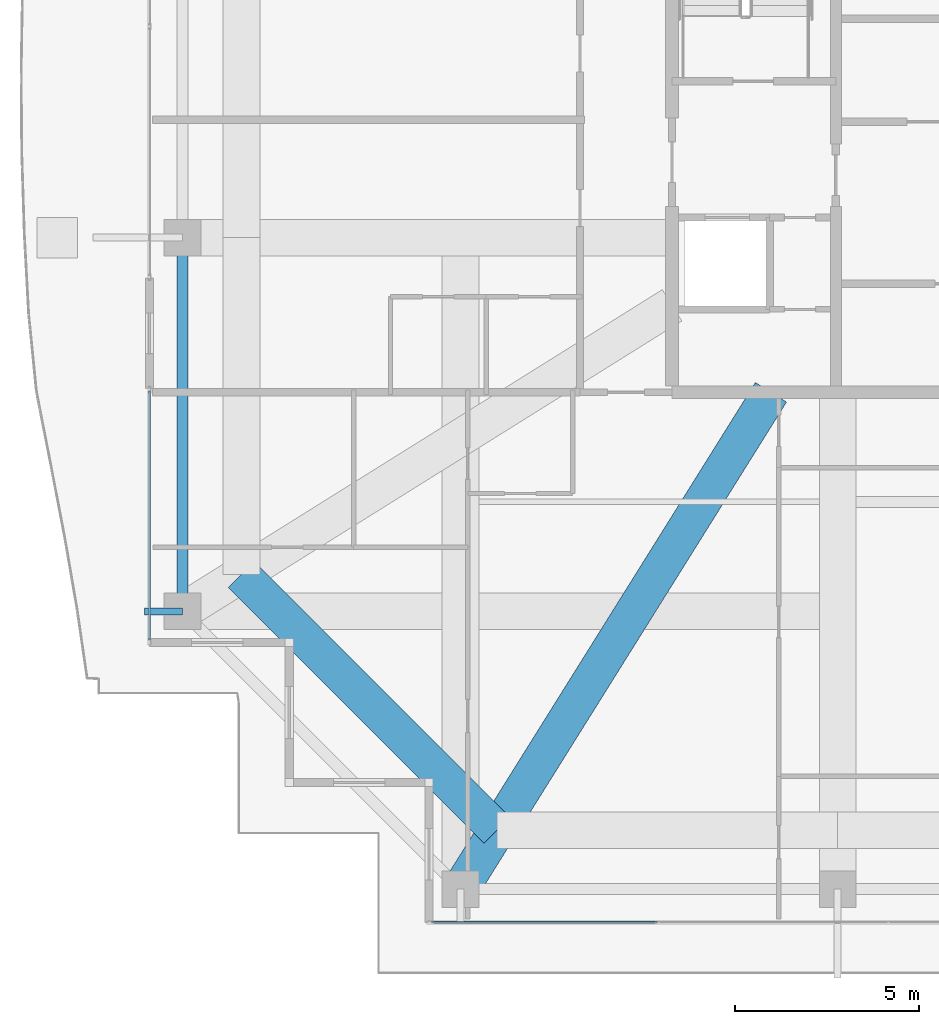
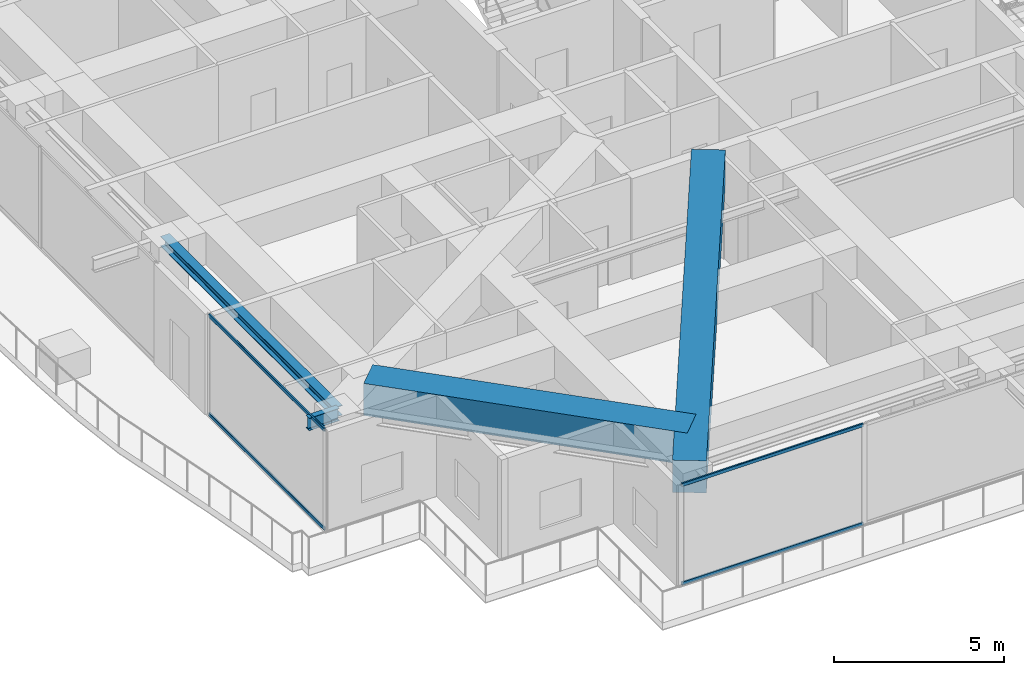
# One storey, part 3 of 40: 4 beams, 4 members, 2 elements without a shape of their own.
"""IFC4 building model written with IfcOpenShell, lengths in metres."""

from ifc_helpers import new_model, si_unit, direction, frame, origin, origin_2d, place, context, subcontext, project, spatial, rectangle, hollow_rectangle, i_section, extrude, source, transform, mapped, material, layer, layer_set, material_profile, profile_set, type_object, element, aggregate, save


model = new_model("IFC4")

# Units and contexts
model_context = context("Model", 3, precision=1e-05, world=origin(), true_north=direction((0.0, 1.0)))
body_context = subcontext(model_context, "Body", "Model", "MODEL_VIEW")
ifc_project = project(units=[si_unit("LENGTHUNIT", "METRE"), si_unit("AREAUNIT", "SQUARE_METRE"), si_unit("VOLUMEUNIT", "CUBIC_METRE"), si_unit("PLANEANGLEUNIT", "RADIAN"), si_unit("MASSUNIT", "GRAM", prefix="KILO")], contexts=[model_context])

# Site, building, storey
site_placement = place(None, origin())
site = spatial("IfcSite", under=ifc_project, at=site_placement, CompositionType="ELEMENT")
building_placement = place(site_placement, origin())
building = spatial("IfcBuilding", under=site, at=building_placement, Name="Serunith Strait Residences", CompositionType="ELEMENT")
storey_placement = place(building_placement, frame((0.0, 0.0, 333.949951171875)))
storey = spatial("IfcBuildingStorey", under=building, at=storey_placement, Name="L83", CompositionType="ELEMENT", Elevation=333.949951171875)

# Beams
ifc_material_1 = material(Name="Steel S355J2", Category="steel")
ifc_material_profile_1 = material_profile(ifc_material_1, i_section(OverallWidth=0.300048828125, OverallDepth=0.360107421875, WebThickness=0.012451171875, FlangeThickness=0.0224609375, FilletRadius=0.027099609375, at=origin_2d()), Name="HEB 360")
ifc_profile_set_1 = profile_set([ifc_material_profile_1], Name="Steel S355J2")
beam_type_1 = type_object("IfcBeamType", Name="BM-HEB360", PredefinedType="BEAM", material=ifc_profile_set_1)
shared_shape_1 = source(origin(), body_context, "Body", "SweptSolid", [
    extrude(i_section(OverallWidth=0.300048828125, OverallDepth=0.360107421875, WebThickness=0.012451171875, FlangeThickness=0.0224609375, FilletRadius=0.027099609375, at=origin_2d()), origin(), (0.0, 0.0, 1.0), 10.14990234375),
])
beam_1_placement = place(storey_placement, frame((10.10009765625, 21.0, 3.427001953125), z_axis=(0.0, -1.0, 0.0), x_axis=(1.0, 0.0, 0.0)))
element("IfcBeam", 1, at=beam_1_placement, inside=storey, type_object=beam_type_1, Name="L83 Perimeter Ring Beam 15", PredefinedType="BEAM", context=body_context, shape_type="MappedRepresentation", body=[
    mapped(shared_shape_1, transform((0.0, 0.0, 0.0), scale=1.0)),
])
ifc_material_2 = material(Name="Concrete C80/95", Category="concrete")
ifc_material_profile_2 = material_profile(ifc_material_2, rectangle(XDim=1.0, YDim=1.14990234375, at=origin_2d()), Name="RC 1000x1150")
ifc_profile_set_2 = profile_set([ifc_material_profile_2], Name="Concrete C80/95")
beam_type_2 = type_object("IfcBeamType", Name="BM-XFER-1000x1150", PredefinedType="BEAM", material=ifc_profile_set_2)
shared_shape_2 = source(origin(), body_context, "Body", "SweptSolid", [
    extrude(rectangle(XDim=1.0, YDim=1.14990234375, at=origin_2d()), origin(), (0.0, 0.0, 1.0), 15.919921875),
])
beam_2_placement = place(storey_placement, frame((17.64990234375, 3.300048828125, 3.03515625), z_axis=(0.529998940003, 0.847998304005, 0.0), x_axis=(-0.847998304005, 0.529998940003, 0.0)))
element("IfcBeam", 2, at=beam_2_placement, inside=storey, type_object=beam_type_2, Name="L83 Diagonal Corner Transfer Girder TC-S1", PredefinedType="BEAM", context=body_context, shape_type="MappedRepresentation", body=[
    mapped(shared_shape_2, transform((0.0, 0.0, 0.0), scale=1.0)),
])
shared_shape_3 = source(origin(), body_context, "Body", "SweptSolid", [
    extrude(rectangle(XDim=1.0, YDim=1.14990234375, at=origin_2d()), origin(), (0.0, 0.0, 1.0), 9.828857421875),
])
beam_3_placement = place(storey_placement, frame((11.699951171875, 11.85009765625, 3.03515625), z_axis=(0.707094361533, -0.707119200622, 0.0), x_axis=(0.707119200622, 0.707094361533, 0.0)))
element("IfcBeam", 3, at=beam_3_placement, inside=storey, type_object=beam_type_2, Name="L83 Flare Upper Ring Transfer Girder 16", PredefinedType="BEAM", context=body_context, shape_type="MappedRepresentation", body=[
    mapped(shared_shape_3, transform((0.0, 0.0, 0.0), scale=1.0)),
])
ifc_material_profile_3 = material_profile(ifc_material_1, i_section(OverallWidth=0.18994140625, OverallDepth=0.449951171875, WebThickness=0.009521484375, FlangeThickness=0.0146484375, FilletRadius=0.02099609375, at=origin_2d()), Name="IPE 450")
ifc_profile_set_3 = profile_set([ifc_material_profile_3], Name="Steel S355J2")
beam_type_3 = type_object("IfcBeamType", Name="BM-IPE450", PredefinedType="JOIST", material=ifc_profile_set_3)
shared_shape_4 = source(origin(), body_context, "Body", "SweptSolid", [
    extrude(i_section(OverallWidth=0.18994140625, OverallDepth=0.449951171875, WebThickness=0.009521484375, FlangeThickness=0.0146484375, FilletRadius=0.02099609375, at=origin_2d()), origin(), (0.0, 0.0, 1.0), 1.02880859375),
])
beam_4_placement = place(storey_placement, frame((10.10009765625, 10.85009765625, 3.382080078125), z_axis=(-1.0, 0.0, 0.0), x_axis=(0.0, -1.0, 0.0)))
element("IfcBeam", 4, at=beam_4_placement, inside=storey, type_object=beam_type_3, Name="L84 Cantilevered Balcony Rib TC-W1", PredefinedType="JOIST", context=body_context, shape_type="MappedRepresentation", body=[
    mapped(shared_shape_4, transform((0.0, 0.0, 0.0), scale=1.0)),
])

# Curtain wall, members
ifc_material_3 = material(Name="Brushed Stainless-Silver Aluminium", Category="aluminium")
ifc_layer = layer(ifc_material_3, 0.199951171875, Name="Brushed Stainless-Silver Aluminium")
ifc_layer_set = layer_set([ifc_layer], Name="Brushed Stainless-Silver Aluminium")
curtain_wall_type = type_object("IfcCurtainWallType", Name="CW-SYS5", PredefinedType="NOTDEFINED", material=ifc_layer_set)
curtain_wall_1_placement = place(storey_placement, origin())
curtain_wall_1 = element("IfcCurtainWall", 5, at=curtain_wall_1_placement, inside=storey, type_object=curtain_wall_type, Name="L83 S Unitised Fritted Curtain Wall", PredefinedType="NOTDEFINED")
ifc_material_profile_4 = material_profile(ifc_material_3, hollow_rectangle(XDim=0.06005859375, YDim=0.1201171875, WallThickness=0.00341796875, InnerFilletRadius=0.00537109375, OuterFilletRadius=0.0087890625, at=origin_2d()), Name="ALU 120x60x3.5")
ifc_profile_set_4 = profile_set([ifc_material_profile_4], Name="Brushed Stainless-Silver Aluminium")
member_type = type_object("IfcMemberType", Name="CW-SYS5-TRAN", PredefinedType="USERDEFINED", material=ifc_profile_set_4)
shared_shape_5 = source(origin(), body_context, "Body", "SweptSolid", [
    extrude(hollow_rectangle(XDim=0.06005859375, YDim=0.1201171875, WallThickness=0.00341796875, InnerFilletRadius=0.00537109375, OuterFilletRadius=0.0087890625, at=origin_2d()), origin(), (0.0, 0.0, 1.0), 6.142578125),
])
member_1_placement = place(storey_placement, frame((16.864990234375, 2.39990234375, 0.030029296875), z_axis=(1.0, 0.0, 0.0), x_axis=(0.0, 1.0, 0.0)))
member_1 = element("IfcMember", 6, at=member_1_placement, type_object=member_type, Name="CW-5 transom 1.1", ObjectType="TRANSOM", PredefinedType="USERDEFINED", context=body_context, shape_type="MappedRepresentation", body=[
    mapped(shared_shape_5, transform((0.0, 0.0, 0.0), scale=1.0)),
])
member_2_placement = place(storey_placement, frame((16.864990234375, 2.39990234375, 3.56494140625), z_axis=(1.0, 0.0, 0.0), x_axis=(0.0, 1.0, 0.0)))
member_2 = element("IfcMember", 7, at=member_2_placement, type_object=member_type, Name="CW-5 transom 1.2", ObjectType="TRANSOM", PredefinedType="USERDEFINED", context=body_context, shape_type="MappedRepresentation", body=[
    mapped(shared_shape_5, transform((0.0, 0.0, 0.0), scale=1.0)),
])
aggregate(curtain_wall_1, [member_1, member_2])

curtain_wall_2_placement = place(storey_placement, origin())
curtain_wall_2 = element("IfcCurtainWall", 8, at=curtain_wall_2_placement, inside=storey, type_object=curtain_wall_type, Name="L83 W Unitised Fritted Curtain Wall", PredefinedType="NOTDEFINED")
shared_shape_6 = source(origin(), body_context, "Body", "SweptSolid", [
    extrude(hollow_rectangle(XDim=0.06005859375, YDim=0.1201171875, WallThickness=0.00341796875, InnerFilletRadius=0.00537109375, OuterFilletRadius=0.0087890625, at=origin_2d()), origin(), (0.0, 0.0, 1.0), 6.77001953125),
])
member_3_placement = place(storey_placement, frame((9.199951171875, 16.8349609375, 0.030029296875), z_axis=(0.0, -1.0, 0.0), x_axis=(1.0, 0.0, 0.0)))
member_3 = element("IfcMember", 9, at=member_3_placement, type_object=member_type, Name="CW-5 transom 1.1", ObjectType="TRANSOM", PredefinedType="USERDEFINED", context=body_context, shape_type="MappedRepresentation", body=[
    mapped(shared_shape_6, transform((0.0, 0.0, 0.0), scale=1.0)),
])
member_4_placement = place(storey_placement, frame((9.199951171875, 16.8349609375, 3.56494140625), z_axis=(0.0, -1.0, 0.0), x_axis=(1.0, 0.0, 0.0)))
member_4 = element("IfcMember", 10, at=member_4_placement, type_object=member_type, Name="CW-5 transom 1.2", ObjectType="TRANSOM", PredefinedType="USERDEFINED", context=body_context, shape_type="MappedRepresentation", body=[
    mapped(shared_shape_6, transform((0.0, 0.0, 0.0), scale=1.0)),
])
aggregate(curtain_wall_2, [member_3, member_4])

save(model, "model.ifc")
